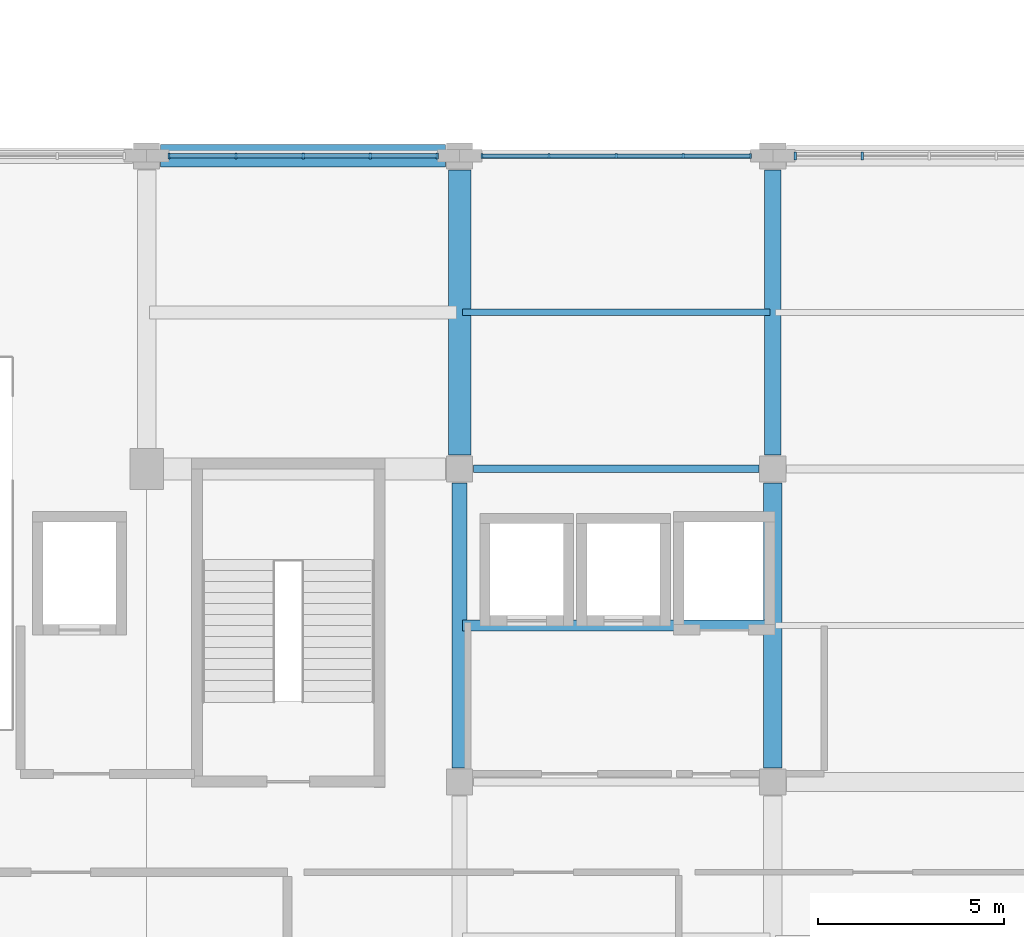
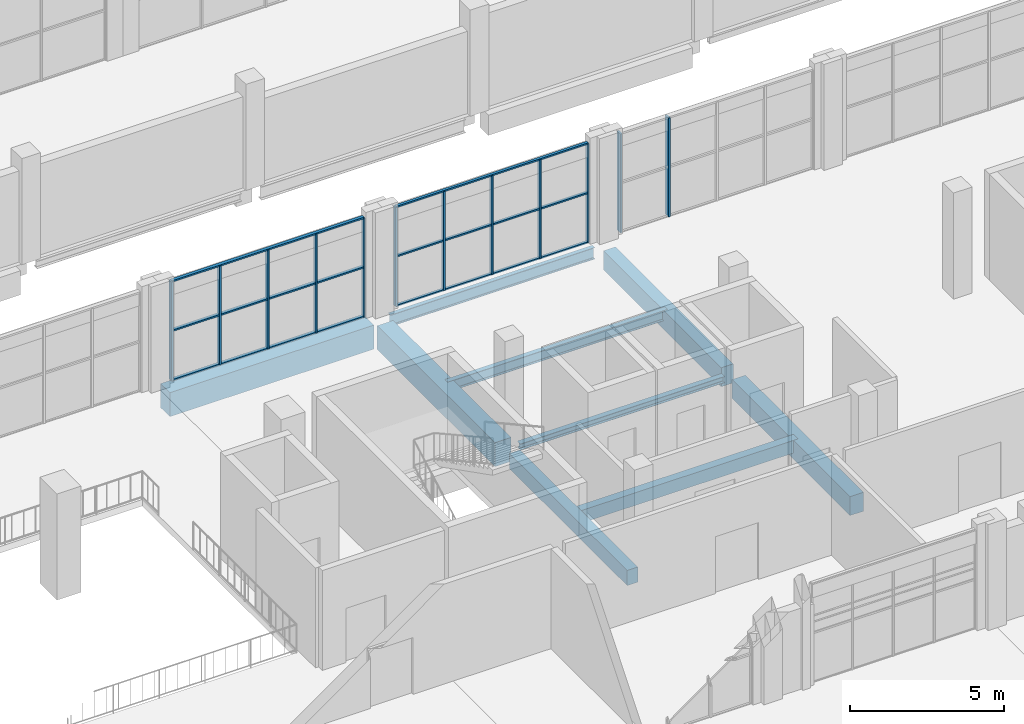
# One storey, part 18 of 59: 18 members, 9 beams, 3 elements without a shape of their own.
"""IFC4 building model written with IfcOpenShell, lengths in metres."""

from ifc_helpers import new_model, si_unit, derived_unit, direction, frame, origin, origin_2d, place, context, subcontext, project, spatial, rectangle, i_section, extrude, material, material_profile, profile_set, type_object, element, aggregate, save


model = new_model("IFC4")

# Units and contexts
model_context = context("Model", 3, precision=1e-05, world=origin(), true_north=direction((0.0, 1.0)))
body_context = subcontext(model_context, "Body", "Model", "MODEL_VIEW")
ifc_project = project(units=[si_unit("LENGTHUNIT", "METRE"), si_unit("AREAUNIT", "SQUARE_METRE"), si_unit("VOLUMEUNIT", "CUBIC_METRE"), si_unit("PLANEANGLEUNIT", "RADIAN"), si_unit("MASSUNIT", "GRAM", prefix="KILO"), derived_unit("THERMALTRANSMITTANCEUNIT", [(si_unit("POWERUNIT", "WATT"), 1), (si_unit("LENGTHUNIT", "METRE"), -2), (si_unit("THERMODYNAMICTEMPERATUREUNIT", "KELVIN"), -1)])], contexts=[model_context])

# Site, building, storey
site_placement = place(None, origin())
site = spatial("IfcSite", under=ifc_project, at=site_placement, CompositionType="ELEMENT")
building_placement = place(site_placement, origin())
building = spatial("IfcBuilding", under=site, at=building_placement, Name="Barrovel Congress Hotel", CompositionType="ELEMENT")
storey_placement = place(building_placement, frame((0.0, 0.0, 9.89990234375)))
storey = spatial("IfcBuildingStorey", under=building, at=storey_placement, Name="L02", CompositionType="ELEMENT", Elevation=9.89990234375)

# Beams
ifc_material_1 = material(Name="Concrete C40", Category="concrete")
ifc_material_profile_1 = material_profile(ifc_material_1, rectangle(XDim=0.300048828125, YDim=0.5, at=origin_2d()), Name="RC300x500")
ifc_profile_set_1 = profile_set([ifc_material_profile_1], Name="Concrete C40")
beam_type_1 = type_object("IfcBeamType", Name="BM-RC300x500", PredefinedType="JOIST", material=ifc_profile_set_1)
beam_1_placement = place(storey_placement, frame((84.080078125, 16.800048828125, -0.510009765625), z_axis=(1.0, 0.0, 0.0), x_axis=(0.0, 1.0, 0.0)))
element("IfcBeam", 1, at=beam_1_placement, inside=storey, type_object=beam_type_1, Name="JST:L02:84.0:16.8", PredefinedType="JOIST", context=body_context, shape_type="SweptSolid", body=[
    extrude(rectangle(XDim=0.300048828125, YDim=0.5, at=origin_2d()), origin(), (0.0, 0.0, 1.0), 8.239990234375),
])
ifc_material_profile_2 = material_profile(ifc_material_1, rectangle(XDim=0.39990234375, YDim=0.60009765625, at=origin_2d()), Name="RC400x600")
ifc_profile_set_2 = profile_set([ifc_material_profile_2], Name="Concrete C40")
beam_type_2 = type_object("IfcBeamType", Name="BM-RC400x600", PredefinedType="BEAM", material=ifc_profile_set_2)
beam_2_placement = place(storey_placement, frame((84.0, 12.97509765625, -0.559814453125), z_axis=(0.0, 1.0, 0.0), x_axis=(-1.0, 0.0, 0.0)))
element("IfcBeam", 2, at=beam_2_placement, inside=storey, type_object=beam_type_2, Name="BMY:L02:84.0:12.6-21.0", PredefinedType="BEAM", context=body_context, shape_type="SweptSolid", body=[
    extrude(rectangle(XDim=0.39990234375, YDim=0.60009765625, at=origin_2d()), origin(), (0.0, 0.0, 1.0), 7.64990234375),
])
ifc_material_profile_3 = material_profile(ifc_material_1, rectangle(XDim=0.449951171875, YDim=0.75, at=origin_2d()), Name="RC450x750")
ifc_profile_set_3 = profile_set([ifc_material_profile_3], Name="Concrete C40")
beam_type_3 = type_object("IfcBeamType", Name="BM-RC450x750", PredefinedType="BEAM", material=ifc_profile_set_3)
beam_3_placement = place(storey_placement, frame((92.39990234375, 21.375, -0.635009765625), z_axis=(0.0, 1.0, 0.0), x_axis=(-1.0, 0.0, 0.0)))
element("IfcBeam", 3, at=beam_3_placement, inside=storey, type_object=beam_type_3, Name="BMY:L02:92.4:21.0-29.4", PredefinedType="BEAM", context=body_context, shape_type="SweptSolid", body=[
    extrude(rectangle(XDim=0.449951171875, YDim=0.75, at=origin_2d()), origin(), (0.0, 0.0, 1.0), 7.64990234375),
])
ifc_material_profile_4 = material_profile(ifc_material_1, rectangle(XDim=0.5, YDim=0.75, at=origin_2d()), Name="RC500x750")
ifc_profile_set_4 = profile_set([ifc_material_profile_4], Name="Concrete C40")
beam_type_4 = type_object("IfcBeamType", Name="BM-RC500x750", PredefinedType="BEAM", material=ifc_profile_set_4)
beam_4_placement = place(storey_placement, frame((92.39990234375, 12.97509765625, -0.635009765625), z_axis=(0.0, 1.0, 0.0), x_axis=(-1.0, 0.0, 0.0)))
element("IfcBeam", 4, at=beam_4_placement, inside=storey, type_object=beam_type_4, Name="BMY:L02:92.4:12.6-21.0", PredefinedType="BEAM", context=body_context, shape_type="SweptSolid", body=[
    extrude(rectangle(XDim=0.5, YDim=0.75, at=origin_2d()), origin(), (0.0, 0.0, 1.0), 7.64990234375),
])
ifc_material_profile_5 = material_profile(ifc_material_1, rectangle(XDim=0.60009765625, YDim=0.949951171875, at=origin_2d()), Name="RC600x950")
ifc_profile_set_5 = profile_set([ifc_material_profile_5], Name="Concrete C40")
beam_type_5 = type_object("IfcBeamType", Name="BM-RC600x950", PredefinedType="BEAM", material=ifc_profile_set_5)
for number, where, z_axis, x_axis, name in (
    (5, (75.97509765625, 29.39990234375, -0.73486328125), (1.0, 0.0, 0.0), (0.0, 1.0, 0.0), "BMX:L02:29.4:75.6-84.0"),
    (6, (84.0, 21.375, -0.73486328125), (0.0, 1.0, 0.0), (-1.0, 0.0, 0.0), "BMY:L02:84.0:21.0-29.4"),
):
    element("IfcBeam", number, at=place(storey_placement, frame(where, z_axis=z_axis, x_axis=x_axis)), inside=storey, type_object=beam_type_5, Name=name, PredefinedType="BEAM", context=body_context, shape_type="SweptSolid", body=[
        extrude(rectangle(XDim=0.60009765625, YDim=0.949951171875, at=origin_2d()), origin(), (0.0, 0.0, 1.0), 7.64990234375),
    ])

# Curtain wall, members
ifc_material_2 = material(Name="Anodised Aluminium Alloy 6063-T6", Category="aluminium")
curtain_wall_type = type_object("IfcCurtainWallType", Name="CW-ST-7200x3600", PredefinedType="USERDEFINED", material=ifc_material_2)
curtain_wall_1_placement = place(storey_placement, origin())
curtain_wall_1 = element("IfcCurtainWall", 7, at=curtain_wall_1_placement, inside=storey, type_object=curtain_wall_type, Name="CW:L02:CS:10", ObjectType="STICK CURTAIN WALL", PredefinedType="USERDEFINED")
ifc_material_profile_6 = material_profile(ifc_material_2, rectangle(XDim=0.06005859375, YDim=0.139892578125, at=origin_2d()), Name="AL-M60x140")
ifc_profile_set_6 = profile_set([ifc_material_profile_6], Name="Anodised Aluminium Alloy 6063-T6")
member_type_1 = type_object("IfcMemberType", Name="CWM-AL-M60x140", PredefinedType="MULLION", material=ifc_profile_set_6)
member_1_placement = place(storey_placement, frame((91.800048828125, 29.39990234375, 0.0), z_axis=(0.0, 0.0, 1.0), x_axis=(1.0, 0.0, 0.0)))
member_1 = element("IfcMember", 8, at=member_1_placement, type_object=member_type_1, Name="CW:L02:CS:10:M0", PredefinedType="MULLION", context=body_context, shape_type="SweptSolid", body=[
    extrude(rectangle(XDim=0.06005859375, YDim=0.139892578125, at=origin_2d()), origin(), (0.0, 0.0, 1.0), 3.920166015625),
])
member_2_placement = place(storey_placement, frame((90.0, 29.39990234375, 0.0), z_axis=(0.0, 0.0, 1.0), x_axis=(1.0, 0.0, 0.0)))
member_2 = element("IfcMember", 9, at=member_2_placement, type_object=member_type_1, Name="CW:L02:CS:10:M1", PredefinedType="MULLION", context=body_context, shape_type="SweptSolid", body=[
    extrude(rectangle(XDim=0.06005859375, YDim=0.139892578125, at=origin_2d()), origin(), (0.0, 0.0, 1.0), 3.920166015625),
])
member_3_placement = place(storey_placement, frame((88.199951171875, 29.39990234375, 0.0), z_axis=(0.0, 0.0, 1.0), x_axis=(1.0, 0.0, 0.0)))
member_3 = element("IfcMember", 10, at=member_3_placement, type_object=member_type_1, Name="CW:L02:CS:10:M2", PredefinedType="MULLION", context=body_context, shape_type="SweptSolid", body=[
    extrude(rectangle(XDim=0.06005859375, YDim=0.139892578125, at=origin_2d()), origin(), (0.0, 0.0, 1.0), 3.920166015625),
])
member_4_placement = place(storey_placement, frame((86.39990234375, 29.39990234375, 0.0), z_axis=(0.0, 0.0, 1.0), x_axis=(1.0, 0.0, 0.0)))
member_4 = element("IfcMember", 11, at=member_4_placement, type_object=member_type_1, Name="CW:L02:CS:10:M3", PredefinedType="MULLION", context=body_context, shape_type="SweptSolid", body=[
    extrude(rectangle(XDim=0.06005859375, YDim=0.139892578125, at=origin_2d()), origin(), (0.0, 0.0, 1.0), 3.920166015625),
])
member_5_placement = place(storey_placement, frame((84.60009765625, 29.39990234375, 0.0), z_axis=(0.0, 0.0, 1.0), x_axis=(1.0, 0.0, 0.0)))
member_5 = element("IfcMember", 12, at=member_5_placement, type_object=member_type_1, Name="CW:L02:CS:10:M4", PredefinedType="MULLION", context=body_context, shape_type="SweptSolid", body=[
    extrude(rectangle(XDim=0.06005859375, YDim=0.139892578125, at=origin_2d()), origin(), (0.0, 0.0, 1.0), 3.920166015625),
])

curtain_wall_2_placement = place(storey_placement, origin())
curtain_wall_2 = element("IfcCurtainWall", 13, at=curtain_wall_2_placement, inside=storey, type_object=curtain_wall_type, Name="CW:L02:CS:09", ObjectType="STICK CURTAIN WALL", PredefinedType="USERDEFINED")
ifc_material_profile_7 = material_profile(ifc_material_2, rectangle(XDim=0.06005859375, YDim=0.1650390625, at=origin_2d()), Name="AL-M60x165")
ifc_profile_set_7 = profile_set([ifc_material_profile_7], Name="Anodised Aluminium Alloy 6063-T6")
member_type_2 = type_object("IfcMemberType", Name="CWM-AL-M60x165", PredefinedType="MULLION", material=ifc_profile_set_7)
member_6_placement = place(storey_placement, frame((83.39990234375, 29.39990234375, 0.0), z_axis=(0.0, 0.0, 1.0), x_axis=(1.0, 0.0, 0.0)))
member_6 = element("IfcMember", 14, at=member_6_placement, type_object=member_type_2, Name="CW:L02:CS:09:M0", PredefinedType="MULLION", context=body_context, shape_type="SweptSolid", body=[
    extrude(rectangle(XDim=0.06005859375, YDim=0.1650390625, at=origin_2d()), origin(), (0.0, 0.0, 1.0), 3.920166015625),
])
member_7_placement = place(storey_placement, frame((81.60009765625, 29.39990234375, 0.0), z_axis=(0.0, 0.0, 1.0), x_axis=(1.0, 0.0, 0.0)))
member_7 = element("IfcMember", 15, at=member_7_placement, type_object=member_type_2, Name="CW:L02:CS:09:M1", PredefinedType="MULLION", context=body_context, shape_type="SweptSolid", body=[
    extrude(rectangle(XDim=0.06005859375, YDim=0.1650390625, at=origin_2d()), origin(), (0.0, 0.0, 1.0), 3.920166015625),
])
member_8_placement = place(storey_placement, frame((79.800048828125, 29.39990234375, 0.0), z_axis=(0.0, 0.0, 1.0), x_axis=(1.0, 0.0, 0.0)))
member_8 = element("IfcMember", 16, at=member_8_placement, type_object=member_type_2, Name="CW:L02:CS:09:M2", PredefinedType="MULLION", context=body_context, shape_type="SweptSolid", body=[
    extrude(rectangle(XDim=0.06005859375, YDim=0.1650390625, at=origin_2d()), origin(), (0.0, 0.0, 1.0), 3.920166015625),
])
member_9_placement = place(storey_placement, frame((78.0, 29.39990234375, 0.0), z_axis=(0.0, 0.0, 1.0), x_axis=(1.0, 0.0, 0.0)))
member_9 = element("IfcMember", 17, at=member_9_placement, type_object=member_type_2, Name="CW:L02:CS:09:M3", PredefinedType="MULLION", context=body_context, shape_type="SweptSolid", body=[
    extrude(rectangle(XDim=0.06005859375, YDim=0.1650390625, at=origin_2d()), origin(), (0.0, 0.0, 1.0), 3.920166015625),
])
member_10_placement = place(storey_placement, frame((76.199951171875, 29.39990234375, 0.0), z_axis=(0.0, 0.0, 1.0), x_axis=(1.0, 0.0, 0.0)))
member_10 = element("IfcMember", 18, at=member_10_placement, type_object=member_type_2, Name="CW:L02:CS:09:M4", PredefinedType="MULLION", context=body_context, shape_type="SweptSolid", body=[
    extrude(rectangle(XDim=0.06005859375, YDim=0.1650390625, at=origin_2d()), origin(), (0.0, 0.0, 1.0), 3.920166015625),
])

curtain_wall_3_placement = place(storey_placement, origin())
curtain_wall_3 = element("IfcCurtainWall", 19, at=curtain_wall_3_placement, inside=storey, type_object=curtain_wall_type, Name="CW:L02:CS:11", ObjectType="STICK CURTAIN WALL", PredefinedType="USERDEFINED")
ifc_material_profile_8 = material_profile(ifc_material_2, rectangle(XDim=0.06494140625, YDim=0.219970703125, at=origin_2d()), Name="AL-M65x220")
ifc_profile_set_8 = profile_set([ifc_material_profile_8], Name="Anodised Aluminium Alloy 6063-T6")
member_type_3 = type_object("IfcMemberType", Name="CWM-AL-M65x220", PredefinedType="MULLION", material=ifc_profile_set_8)
member_11_placement = place(storey_placement, frame((94.800048828125, 29.39990234375, 0.0), z_axis=(0.0, 0.0, 1.0), x_axis=(1.0, 0.0, 0.0)))
member_11 = element("IfcMember", 20, at=member_11_placement, type_object=member_type_3, Name="CW:L02:CS:11:M3", PredefinedType="MULLION", context=body_context, shape_type="SweptSolid", body=[
    extrude(rectangle(XDim=0.06494140625, YDim=0.219970703125, at=origin_2d()), origin(), (0.0, 0.0, 1.0), 3.920166015625),
])
member_12_placement = place(storey_placement, frame((93.0, 29.39990234375, 0.0), z_axis=(0.0, 0.0, 1.0), x_axis=(1.0, 0.0, 0.0)))
member_12 = element("IfcMember", 21, at=member_12_placement, type_object=member_type_3, Name="CW:L02:CS:11:M4", PredefinedType="MULLION", context=body_context, shape_type="SweptSolid", body=[
    extrude(rectangle(XDim=0.06494140625, YDim=0.219970703125, at=origin_2d()), origin(), (0.0, 0.0, 1.0), 3.920166015625),
])
aggregate(curtain_wall_3, [member_11, member_12])

# Member
ifc_material_profile_9 = material_profile(ifc_material_2, rectangle(XDim=0.10498046875, YDim=0.06005859375, at=origin_2d()), Name="AL-T60x105")
ifc_profile_set_9 = profile_set([ifc_material_profile_9], Name="Anodised Aluminium Alloy 6063-T6")
member_type_4 = type_object("IfcMemberType", Name="CWT-AL-T60x105", PredefinedType="USERDEFINED", material=ifc_profile_set_9)
member_13_placement = place(storey_placement, frame((91.800048828125, 29.39990234375, 0.0), z_axis=(-1.0, 0.0, 0.0), x_axis=(0.0, -1.0, 0.0)))
member_13 = element("IfcMember", 22, at=member_13_placement, type_object=member_type_4, Name="CW:L02:CS:10:T0", ObjectType="TRANSOM", PredefinedType="USERDEFINED", context=body_context, shape_type="SweptSolid", body=[
    extrude(rectangle(XDim=0.10498046875, YDim=0.06005859375, at=origin_2d()), origin(), (0.0, 0.0, 1.0), 7.199951171875),
])

member_14_placement = place(storey_placement, frame((91.800048828125, 29.39990234375, 1.960205078125), z_axis=(-1.0, 0.0, 0.0), x_axis=(0.0, -1.0, 0.0)))
member_14 = element("IfcMember", 23, at=member_14_placement, type_object=member_type_4, Name="CW:L02:CS:10:T1", ObjectType="TRANSOM", PredefinedType="USERDEFINED", context=body_context, shape_type="SweptSolid", body=[
    extrude(rectangle(XDim=0.10498046875, YDim=0.06005859375, at=origin_2d()), origin(), (0.0, 0.0, 1.0), 7.199951171875),
])

member_15_placement = place(storey_placement, frame((91.800048828125, 29.39990234375, 3.920166015625), z_axis=(-1.0, 0.0, 0.0), x_axis=(0.0, -1.0, 0.0)))
member_15 = element("IfcMember", 24, at=member_15_placement, type_object=member_type_4, Name="CW:L02:CS:10:T2", ObjectType="TRANSOM", PredefinedType="USERDEFINED", context=body_context, shape_type="SweptSolid", body=[
    extrude(rectangle(XDim=0.10498046875, YDim=0.06005859375, at=origin_2d()), origin(), (0.0, 0.0, 1.0), 7.199951171875),
])

aggregate(curtain_wall_1, [member_1, member_2, member_3, member_4, member_5, member_13, member_14, member_15])

ifc_material_profile_10 = material_profile(ifc_material_2, rectangle(XDim=0.125, YDim=0.06005859375, at=origin_2d()), Name="AL-T60x125")
ifc_profile_set_10 = profile_set([ifc_material_profile_10], Name="Anodised Aluminium Alloy 6063-T6")
member_type_5 = type_object("IfcMemberType", Name="CWT-AL-T60x125", PredefinedType="USERDEFINED", material=ifc_profile_set_10)
member_16_placement = place(storey_placement, frame((83.39990234375, 29.39990234375, 0.0), z_axis=(-1.0, 0.0, 0.0), x_axis=(0.0, -1.0, 0.0)))
member_16 = element("IfcMember", 25, at=member_16_placement, type_object=member_type_5, Name="CW:L02:CS:09:T0", ObjectType="TRANSOM", PredefinedType="USERDEFINED", context=body_context, shape_type="SweptSolid", body=[
    extrude(rectangle(XDim=0.125, YDim=0.06005859375, at=origin_2d()), origin(), (0.0, 0.0, 1.0), 7.199951171875),
])

member_17_placement = place(storey_placement, frame((83.39990234375, 29.39990234375, 1.960205078125), z_axis=(-1.0, 0.0, 0.0), x_axis=(0.0, -1.0, 0.0)))
member_17 = element("IfcMember", 26, at=member_17_placement, type_object=member_type_5, Name="CW:L02:CS:09:T1", ObjectType="TRANSOM", PredefinedType="USERDEFINED", context=body_context, shape_type="SweptSolid", body=[
    extrude(rectangle(XDim=0.125, YDim=0.06005859375, at=origin_2d()), origin(), (0.0, 0.0, 1.0), 7.199951171875),
])

member_18_placement = place(storey_placement, frame((83.39990234375, 29.39990234375, 3.920166015625), z_axis=(-1.0, 0.0, 0.0), x_axis=(0.0, -1.0, 0.0)))
member_18 = element("IfcMember", 27, at=member_18_placement, type_object=member_type_5, Name="CW:L02:CS:09:T2", ObjectType="TRANSOM", PredefinedType="USERDEFINED", context=body_context, shape_type="SweptSolid", body=[
    extrude(rectangle(XDim=0.125, YDim=0.06005859375, at=origin_2d()), origin(), (0.0, 0.0, 1.0), 7.199951171875),
])

aggregate(curtain_wall_2, [member_6, member_7, member_8, member_9, member_10, member_16, member_17, member_18])

# Beams
ifc_material_3 = material(Name="Steel ASTM A992 Grade 50", Category="steel")
ifc_material_profile_11 = material_profile(ifc_material_3, i_section(OverallWidth=0.201904296875, OverallDepth=0.2470703125, WebThickness=0.00732421875, FlangeThickness=0.010986328125, FilletRadius=0.011962890625, at=origin_2d()), Name="W250x49")
ifc_profile_set_11 = profile_set([ifc_material_profile_11], Name="Steel ASTM A992 Grade 50")
beam_type_6 = type_object("IfcBeamType", Name="SBM-W250x49", PredefinedType="SPANDREL", material=ifc_profile_set_11)
beam_5_placement = place(storey_placement, frame((84.375, 21.0, -0.38330078125), z_axis=(1.0, 0.0, 0.0), x_axis=(0.0, 1.0, 0.0)))
element("IfcBeam", 28, at=beam_5_placement, inside=storey, type_object=beam_type_6, Name="BMX:L02:21.0:84.0-92.4", PredefinedType="SPANDREL", context=body_context, shape_type="SweptSolid", body=[
    extrude(i_section(OverallWidth=0.201904296875, OverallDepth=0.2470703125, WebThickness=0.00732421875, FlangeThickness=0.010986328125, FilletRadius=0.011962890625, at=origin_2d()), origin(), (0.0, 0.0, 1.0), 7.64990234375),
])
ifc_material_profile_12 = material_profile(ifc_material_3, i_section(OverallWidth=0.177001953125, OverallDepth=0.403076171875, WebThickness=0.007568359375, FlangeThickness=0.010986328125, FilletRadius=0.011962890625, at=origin_2d()), Name="W410x53")
ifc_profile_set_12 = profile_set([ifc_material_profile_12], Name="Steel ASTM A992 Grade 50")
beam_type_7 = type_object("IfcBeamType", Name="SBM-W410x53", PredefinedType="JOIST", material=ifc_profile_set_12)
beam_6_placement = place(storey_placement, frame((84.080078125, 25.199951171875, -0.46142578125), z_axis=(1.0, 0.0, 0.0), x_axis=(0.0, 1.0, 0.0)))
element("IfcBeam", 29, at=beam_6_placement, inside=storey, type_object=beam_type_7, Name="JST:L02:84.0:25.2", PredefinedType="JOIST", context=body_context, shape_type="SweptSolid", body=[
    extrude(i_section(OverallWidth=0.177001953125, OverallDepth=0.403076171875, WebThickness=0.007568359375, FlangeThickness=0.010986328125, FilletRadius=0.011962890625, at=origin_2d()), origin(), (0.0, 0.0, 1.0), 8.239990234375),
])
ifc_material_profile_13 = material_profile(ifc_material_3, i_section(OverallWidth=0.154052734375, OverallDepth=0.458984375, WebThickness=0.009033203125, FlangeThickness=0.015380859375, FilletRadius=0.012939453125, at=origin_2d()), Name="W460x68")
ifc_profile_set_13 = profile_set([ifc_material_profile_13], Name="Steel ASTM A992 Grade 50")
beam_type_8 = type_object("IfcBeamType", Name="SBM-W460x68", PredefinedType="BEAM", material=ifc_profile_set_13)
beam_7_placement = place(storey_placement, frame((84.375, 29.39990234375, -0.489501953125), z_axis=(1.0, 0.0, 0.0), x_axis=(0.0, 1.0, 0.0)))
element("IfcBeam", 30, at=beam_7_placement, inside=storey, type_object=beam_type_8, Name="BMX:L02:29.4:84.0-92.4", PredefinedType="BEAM", context=body_context, shape_type="SweptSolid", body=[
    extrude(i_section(OverallWidth=0.154052734375, OverallDepth=0.458984375, WebThickness=0.009033203125, FlangeThickness=0.015380859375, FilletRadius=0.012939453125, at=origin_2d()), origin(), (0.0, 0.0, 1.0), 7.64990234375),
])

save(model, "model.ifc")
